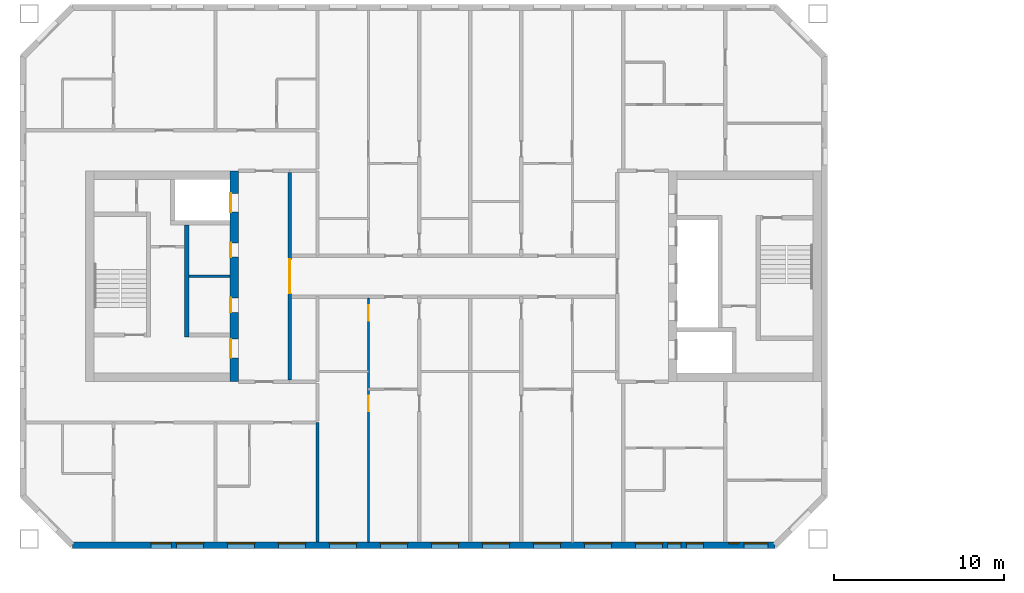
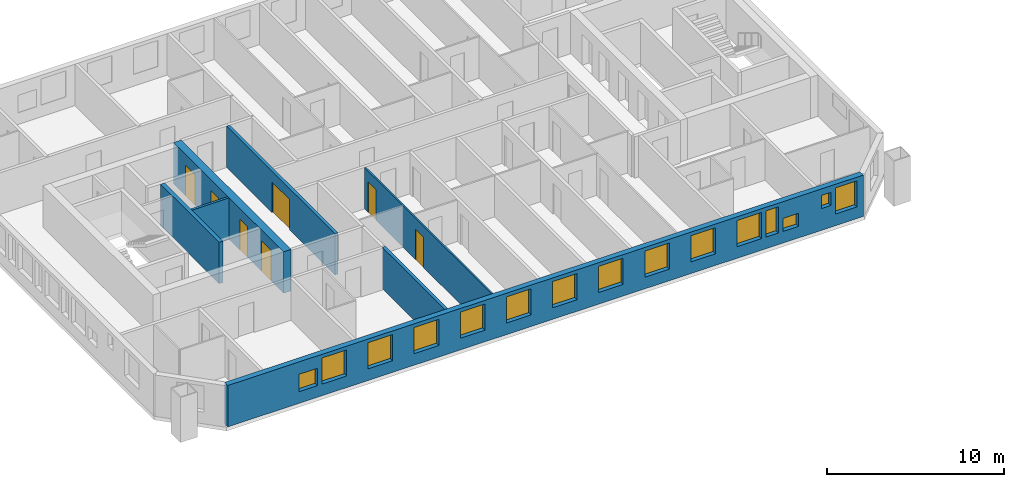
# One storey, part 3 of 16: 15 windows, 7 doors, 7 walls, 22 openings.
"""IFC4 building model written with IfcOpenShell, lengths in metres."""

from ifc_helpers import new_model, si_unit, direction, frame, frame_2d, origin, place, context, subcontext, project, spatial, rectangle, extrude, material, layer, layer_set, type_object, element, fill, save


model = new_model("IFC4")

# Units and contexts
model_context = context("Model", 3, precision=1e-05, world=origin(), true_north=direction((0.0, 1.0)))
body_context = subcontext(model_context, "Body", "Model", "MODEL_VIEW")
ifc_project = project(units=[si_unit("LENGTHUNIT", "METRE"), si_unit("AREAUNIT", "SQUARE_METRE"), si_unit("VOLUMEUNIT", "CUBIC_METRE"), si_unit("PLANEANGLEUNIT", "RADIAN"), si_unit("MASSUNIT", "GRAM", prefix="KILO")], contexts=[model_context])

# Site, building, storey
site_placement = place(None, origin())
site = spatial("IfcSite", under=ifc_project, at=site_placement, CompositionType="ELEMENT")
building_placement = place(site_placement, origin())
building = spatial("IfcBuilding", under=site, at=building_placement, Name="Tuart Gate Housing", CompositionType="ELEMENT")
storey_placement = place(building_placement, frame((0.0, 0.0, 151.60009765625)))
storey = spatial("IfcBuildingStorey", under=building, at=storey_placement, Name="L42", CompositionType="ELEMENT", Elevation=151.60009765625)

# Wall, openings, windows
ifc_material_1 = material(Name="Brick", Category="masonry")
ifc_layer_1 = layer(ifc_material_1, 0.360107421875)
ifc_layer_set_1 = layer_set([ifc_layer_1], Name="Brick pier and spandrel wall 360")
wall_type_1 = type_object("IfcWallType", Name="Brick pier and spandrel wall 360", PredefinedType="STANDARD", material=ifc_layer_set_1)
wall_1_placement = place(storey_placement, frame((31.57470703125, 54.179931640625, 0.0), z_axis=(0.0, 0.0, 1.0), x_axis=(1.0, 0.0, 0.0)))
wall_1 = element("IfcWall", 1, at=wall_1_placement, inside=storey, type_object=wall_type_1, Name="External wall A-S L42", PredefinedType="STANDARD", context=body_context, shape_type="SweptSolid", body=[
    extrude(rectangle(XDim=41.350830078125, YDim=0.360107421875, at=frame_2d((20.67529296875, 0.0))), origin(), (0.0, 0.0, 1.0), 2.849853515625),
])
opening_1_placement = place(wall_1_placement, frame((4.62548828125, 0.0, 0.800048828125)))
opening_1 = element("IfcOpeningElement", 2, at=opening_1_placement, cuts=wall_1, Name="Opening W1N", PredefinedType="OPENING", context=body_context, shape_type="SweptSolid", body=[
    extrude(rectangle(XDim=1.199951171875, YDim=1.199951171875, at=frame_2d((0.60009765625, 0.60009765625))), frame((0.0, 0.18994140625, 0.0), z_axis=(0.0, -1.0, 0.0), x_axis=(1.0, 0.0, 0.0)), (0.0, 0.0, 1.0), 0.380126953125),
])
opening_2_placement = place(wall_1_placement, frame((6.12548828125, 0.0, 0.800048828125)))
opening_2 = element("IfcOpeningElement", 3, at=opening_2_placement, cuts=wall_1, Name="Opening W1", PredefinedType="OPENING", context=body_context, shape_type="SweptSolid", body=[
    extrude(rectangle(XDim=1.60009765625, YDim=1.800048828125, at=frame_2d((0.800048828125, 0.89990234375))), frame((0.0, 0.18994140625, 0.0), z_axis=(0.0, -1.0, 0.0), x_axis=(1.0, 0.0, 0.0)), (0.0, 0.0, 1.0), 0.380126953125),
])
opening_3_placement = place(wall_1_placement, frame((9.12548828125, 0.0, 0.800048828125)))
opening_3 = element("IfcOpeningElement", 4, at=opening_3_placement, cuts=wall_1, Name="Opening W1", PredefinedType="OPENING", context=body_context, shape_type="SweptSolid", body=[
    extrude(rectangle(XDim=1.60009765625, YDim=1.800048828125, at=frame_2d((0.800048828125, 0.89990234375))), frame((0.0, 0.18994140625, 0.0), z_axis=(0.0, -1.0, 0.0), x_axis=(1.0, 0.0, 0.0)), (0.0, 0.0, 1.0), 0.380126953125),
])
opening_4_placement = place(wall_1_placement, frame((12.12548828125, 0.0, 0.800048828125)))
opening_4 = element("IfcOpeningElement", 5, at=opening_4_placement, cuts=wall_1, Name="Opening W1", PredefinedType="OPENING", context=body_context, shape_type="SweptSolid", body=[
    extrude(rectangle(XDim=1.60009765625, YDim=1.800048828125, at=frame_2d((0.800048828125, 0.89990234375))), frame((0.0, 0.18994140625, 0.0), z_axis=(0.0, -1.0, 0.0), x_axis=(1.0, 0.0, 0.0)), (0.0, 0.0, 1.0), 0.380126953125),
])
opening_5_placement = place(wall_1_placement, frame((15.12548828125, 0.0, 0.800048828125)))
opening_5 = element("IfcOpeningElement", 6, at=opening_5_placement, cuts=wall_1, Name="Opening W1", PredefinedType="OPENING", context=body_context, shape_type="SweptSolid", body=[
    extrude(rectangle(XDim=1.60009765625, YDim=1.800048828125, at=frame_2d((0.800048828125, 0.89990234375))), frame((0.0, 0.18994140625, 0.0), z_axis=(0.0, -1.0, 0.0), x_axis=(1.0, 0.0, 0.0)), (0.0, 0.0, 1.0), 0.380126953125),
])
opening_6_placement = place(wall_1_placement, frame((18.12548828125, 0.0, 0.800048828125)))
opening_6 = element("IfcOpeningElement", 7, at=opening_6_placement, cuts=wall_1, Name="Opening W1", PredefinedType="OPENING", context=body_context, shape_type="SweptSolid", body=[
    extrude(rectangle(XDim=1.60009765625, YDim=1.800048828125, at=frame_2d((0.800048828125, 0.89990234375))), frame((0.0, 0.18994140625, 0.0), z_axis=(0.0, -1.0, 0.0), x_axis=(1.0, 0.0, 0.0)), (0.0, 0.0, 1.0), 0.380126953125),
])
opening_7_placement = place(wall_1_placement, frame((21.12548828125, 0.0, 0.800048828125)))
opening_7 = element("IfcOpeningElement", 8, at=opening_7_placement, cuts=wall_1, Name="Opening W1", PredefinedType="OPENING", context=body_context, shape_type="SweptSolid", body=[
    extrude(rectangle(XDim=1.60009765625, YDim=1.800048828125, at=frame_2d((0.800048828125, 0.89990234375))), frame((0.0, 0.18994140625, 0.0), z_axis=(0.0, -1.0, 0.0), x_axis=(1.0, 0.0, 0.0)), (0.0, 0.0, 1.0), 0.380126953125),
])
opening_8_placement = place(wall_1_placement, frame((24.12548828125, 0.0, 0.800048828125)))
opening_8 = element("IfcOpeningElement", 9, at=opening_8_placement, cuts=wall_1, Name="Opening W1", PredefinedType="OPENING", context=body_context, shape_type="SweptSolid", body=[
    extrude(rectangle(XDim=1.60009765625, YDim=1.800048828125, at=frame_2d((0.800048828125, 0.89990234375))), frame((0.0, 0.18994140625, 0.0), z_axis=(0.0, -1.0, 0.0), x_axis=(1.0, 0.0, 0.0)), (0.0, 0.0, 1.0), 0.380126953125),
])
opening_9_placement = place(wall_1_placement, frame((27.12548828125, 0.0, 0.800048828125)))
opening_9 = element("IfcOpeningElement", 10, at=opening_9_placement, cuts=wall_1, Name="Opening W1", PredefinedType="OPENING", context=body_context, shape_type="SweptSolid", body=[
    extrude(rectangle(XDim=1.60009765625, YDim=1.800048828125, at=frame_2d((0.800048828125, 0.89990234375))), frame((0.0, 0.18994140625, 0.0), z_axis=(0.0, -1.0, 0.0), x_axis=(1.0, 0.0, 0.0)), (0.0, 0.0, 1.0), 0.380126953125),
])
opening_10_placement = place(wall_1_placement, frame((30.12548828125, 0.0, 0.800048828125)))
opening_10 = element("IfcOpeningElement", 11, at=opening_10_placement, cuts=wall_1, Name="Opening W1", PredefinedType="OPENING", context=body_context, shape_type="SweptSolid", body=[
    extrude(rectangle(XDim=1.60009765625, YDim=1.800048828125, at=frame_2d((0.800048828125, 0.89990234375))), frame((0.0, 0.18994140625, 0.0), z_axis=(0.0, -1.0, 0.0), x_axis=(1.0, 0.0, 0.0)), (0.0, 0.0, 1.0), 0.380126953125),
])
opening_11_placement = place(wall_1_placement, frame((33.12548828125, 0.0, 0.800048828125)))
opening_11 = element("IfcOpeningElement", 12, at=opening_11_placement, cuts=wall_1, Name="Opening W1", PredefinedType="OPENING", context=body_context, shape_type="SweptSolid", body=[
    extrude(rectangle(XDim=1.60009765625, YDim=1.800048828125, at=frame_2d((0.800048828125, 0.89990234375))), frame((0.0, 0.18994140625, 0.0), z_axis=(0.0, -1.0, 0.0), x_axis=(1.0, 0.0, 0.0)), (0.0, 0.0, 1.0), 0.380126953125),
])
opening_12_placement = place(wall_1_placement, frame((35.025390625, 0.0, 0.800048828125)))
opening_12 = element("IfcOpeningElement", 13, at=opening_12_placement, cuts=wall_1, Name="Opening W1D", PredefinedType="OPENING", context=body_context, shape_type="SweptSolid", body=[
    extrude(rectangle(XDim=0.800048828125, YDim=1.800048828125, at=frame_2d((0.39990234375, 0.89990234375))), frame((0.0, 0.18994140625, 0.0), z_axis=(0.0, -1.0, 0.0), x_axis=(1.0, 0.0, 0.0)), (0.0, 0.0, 1.0), 0.380126953125),
])
opening_13_placement = place(wall_1_placement, frame((38.62548828125, 0.0, 1.5)))
opening_13 = element("IfcOpeningElement", 14, at=opening_13_placement, cuts=wall_1, Name="Opening W1W", PredefinedType="OPENING", context=body_context, shape_type="SweptSolid", body=[
    extrude(rectangle(XDim=0.60009765625, YDim=0.89990234375, at=frame_2d((0.300048828125, 0.449951171875))), frame((0.0, 0.18994140625, 0.0), z_axis=(0.0, -1.0, 0.0), x_axis=(1.0, 0.0, 0.0)), (0.0, 0.0, 1.0), 0.380126953125),
])
opening_14_placement = place(wall_1_placement, frame((36.12548828125, 0.0, 0.800048828125)))
opening_14 = element("IfcOpeningElement", 15, at=opening_14_placement, cuts=wall_1, Name="Opening W1U", PredefinedType="OPENING", context=body_context, shape_type="SweptSolid", body=[
    extrude(rectangle(XDim=1.0, YDim=0.89990234375, at=frame_2d((0.5, 0.449951171875))), frame((0.0, 0.18994140625, 0.0), z_axis=(0.0, -1.0, 0.0), x_axis=(1.0, 0.0, 0.0)), (0.0, 0.0, 1.0), 0.380126953125),
])
opening_15_placement = place(wall_1_placement, frame((39.525390625, 0.0, 0.800048828125)))
opening_15 = element("IfcOpeningElement", 16, at=opening_15_placement, cuts=wall_1, Name="Opening W1A", PredefinedType="OPENING", context=body_context, shape_type="SweptSolid", body=[
    extrude(rectangle(XDim=1.39990234375, YDim=1.800048828125, at=frame_2d((0.699951171875, 0.89990234375))), frame((0.0, 0.18994140625, 0.0), z_axis=(0.0, -1.0, 0.0), x_axis=(1.0, 0.0, 0.0)), (0.0, 0.0, 1.0), 0.380126953125),
])
ifc_material_2 = material(Name="Aluminium frame with clear glass", Category="aluminium")
window_type_1 = type_object("IfcWindowType", Name="Punched window 1000 x 900", PartitioningType="SINGLE_PANEL", PredefinedType="WINDOW", material=ifc_material_2)
window_1_placement = place(opening_14_placement, origin())
window_1 = element("IfcWindow", 17, at=window_1_placement, inside=storey, type_object=window_type_1, Name="Window W1U", OverallHeight=0.89990234375, OverallWidth=1.0, PartitioningType="SINGLE_PANEL", PredefinedType="WINDOW", context=body_context, shape_type="SweptSolid", body=[
    extrude(rectangle(XDim=1.0, YDim=0.89990234375, at=frame_2d((0.5, 0.449951171875))), frame((0.0, 0.150146484375, 0.0), z_axis=(0.0, -1.0, 0.0), x_axis=(1.0, 0.0, 0.0)), (0.0, 0.0, 1.0), 0.06005859375),
])
fill(opening_14, window_1)
ifc_material_3 = material(Name="Aluminium frame with clear glass", Category="aluminium")
window_type_2 = type_object("IfcWindowType", Name="Punched window 1200 x 1200", PartitioningType="SINGLE_PANEL", PredefinedType="WINDOW", material=ifc_material_3)
window_2_placement = place(opening_1_placement, origin())
window_2 = element("IfcWindow", 18, at=window_2_placement, inside=storey, type_object=window_type_2, Name="Window W1N", OverallHeight=1.199951171875, OverallWidth=1.199951171875, PartitioningType="SINGLE_PANEL", PredefinedType="WINDOW", context=body_context, shape_type="SweptSolid", body=[
    extrude(rectangle(XDim=1.199951171875, YDim=1.199951171875, at=frame_2d((0.60009765625, 0.60009765625))), frame((0.0, 0.150146484375, 0.0), z_axis=(0.0, -1.0, 0.0), x_axis=(1.0, 0.0, 0.0)), (0.0, 0.0, 1.0), 0.06005859375),
])
fill(opening_1, window_2)
ifc_material_4 = material(Name="Aluminium frame with clear glass", Category="aluminium")
window_type_3 = type_object("IfcWindowType", Name="Punched window 1400 x 1800", PartitioningType="SINGLE_PANEL", PredefinedType="WINDOW", material=ifc_material_4)
window_3_placement = place(opening_15_placement, origin())
window_3 = element("IfcWindow", 19, at=window_3_placement, inside=storey, type_object=window_type_3, Name="Window W1A", OverallHeight=1.800048828125, OverallWidth=1.39990234375, PartitioningType="SINGLE_PANEL", PredefinedType="WINDOW", context=body_context, shape_type="SweptSolid", body=[
    extrude(rectangle(XDim=1.39990234375, YDim=1.800048828125, at=frame_2d((0.699951171875, 0.89990234375))), frame((0.0, 0.150146484375, 0.0), z_axis=(0.0, -1.0, 0.0), x_axis=(1.0, 0.0, 0.0)), (0.0, 0.0, 1.0), 0.06005859375),
])
fill(opening_15, window_3)
ifc_material_5 = material(Name="Aluminium frame with clear glass", Category="aluminium")
window_type_4 = type_object("IfcWindowType", Name="Punched window 1600 x 1800", PartitioningType="SINGLE_PANEL", PredefinedType="WINDOW", material=ifc_material_5)
window_4_placement = place(opening_2_placement, origin())
window_4 = element("IfcWindow", 20, at=window_4_placement, inside=storey, type_object=window_type_4, Name="Window W1", OverallHeight=1.800048828125, OverallWidth=1.60009765625, PartitioningType="SINGLE_PANEL", PredefinedType="WINDOW", context=body_context, shape_type="SweptSolid", body=[
    extrude(rectangle(XDim=1.60009765625, YDim=1.800048828125, at=frame_2d((0.800048828125, 0.89990234375))), frame((0.0, 0.150146484375, 0.0), z_axis=(0.0, -1.0, 0.0), x_axis=(1.0, 0.0, 0.0)), (0.0, 0.0, 1.0), 0.06005859375),
])
fill(opening_2, window_4)
window_5_placement = place(opening_3_placement, origin())
window_5 = element("IfcWindow", 21, at=window_5_placement, inside=storey, type_object=window_type_4, Name="Window W1", OverallHeight=1.800048828125, OverallWidth=1.60009765625, PartitioningType="SINGLE_PANEL", PredefinedType="WINDOW", context=body_context, shape_type="SweptSolid", body=[
    extrude(rectangle(XDim=1.60009765625, YDim=1.800048828125, at=frame_2d((0.800048828125, 0.89990234375))), frame((0.0, 0.150146484375, 0.0), z_axis=(0.0, -1.0, 0.0), x_axis=(1.0, 0.0, 0.0)), (0.0, 0.0, 1.0), 0.06005859375),
])
fill(opening_3, window_5)
window_6_placement = place(opening_4_placement, origin())
window_6 = element("IfcWindow", 22, at=window_6_placement, inside=storey, type_object=window_type_4, Name="Window W1", OverallHeight=1.800048828125, OverallWidth=1.60009765625, PartitioningType="SINGLE_PANEL", PredefinedType="WINDOW", context=body_context, shape_type="SweptSolid", body=[
    extrude(rectangle(XDim=1.60009765625, YDim=1.800048828125, at=frame_2d((0.800048828125, 0.89990234375))), frame((0.0, 0.150146484375, 0.0), z_axis=(0.0, -1.0, 0.0), x_axis=(1.0, 0.0, 0.0)), (0.0, 0.0, 1.0), 0.06005859375),
])
fill(opening_4, window_6)
window_7_placement = place(opening_5_placement, origin())
window_7 = element("IfcWindow", 23, at=window_7_placement, inside=storey, type_object=window_type_4, Name="Window W1", OverallHeight=1.800048828125, OverallWidth=1.60009765625, PartitioningType="SINGLE_PANEL", PredefinedType="WINDOW", context=body_context, shape_type="SweptSolid", body=[
    extrude(rectangle(XDim=1.60009765625, YDim=1.800048828125, at=frame_2d((0.800048828125, 0.89990234375))), frame((0.0, 0.150146484375, 0.0), z_axis=(0.0, -1.0, 0.0), x_axis=(1.0, 0.0, 0.0)), (0.0, 0.0, 1.0), 0.06005859375),
])
fill(opening_5, window_7)
window_8_placement = place(opening_6_placement, origin())
window_8 = element("IfcWindow", 24, at=window_8_placement, inside=storey, type_object=window_type_4, Name="Window W1", OverallHeight=1.800048828125, OverallWidth=1.60009765625, PartitioningType="SINGLE_PANEL", PredefinedType="WINDOW", context=body_context, shape_type="SweptSolid", body=[
    extrude(rectangle(XDim=1.60009765625, YDim=1.800048828125, at=frame_2d((0.800048828125, 0.89990234375))), frame((0.0, 0.150146484375, 0.0), z_axis=(0.0, -1.0, 0.0), x_axis=(1.0, 0.0, 0.0)), (0.0, 0.0, 1.0), 0.06005859375),
])
fill(opening_6, window_8)
window_9_placement = place(opening_7_placement, origin())
window_9 = element("IfcWindow", 25, at=window_9_placement, inside=storey, type_object=window_type_4, Name="Window W1", OverallHeight=1.800048828125, OverallWidth=1.60009765625, PartitioningType="SINGLE_PANEL", PredefinedType="WINDOW", context=body_context, shape_type="SweptSolid", body=[
    extrude(rectangle(XDim=1.60009765625, YDim=1.800048828125, at=frame_2d((0.800048828125, 0.89990234375))), frame((0.0, 0.150146484375, 0.0), z_axis=(0.0, -1.0, 0.0), x_axis=(1.0, 0.0, 0.0)), (0.0, 0.0, 1.0), 0.06005859375),
])
fill(opening_7, window_9)
window_10_placement = place(opening_8_placement, origin())
window_10 = element("IfcWindow", 26, at=window_10_placement, inside=storey, type_object=window_type_4, Name="Window W1", OverallHeight=1.800048828125, OverallWidth=1.60009765625, PartitioningType="SINGLE_PANEL", PredefinedType="WINDOW", context=body_context, shape_type="SweptSolid", body=[
    extrude(rectangle(XDim=1.60009765625, YDim=1.800048828125, at=frame_2d((0.800048828125, 0.89990234375))), frame((0.0, 0.150146484375, 0.0), z_axis=(0.0, -1.0, 0.0), x_axis=(1.0, 0.0, 0.0)), (0.0, 0.0, 1.0), 0.06005859375),
])
fill(opening_8, window_10)
window_11_placement = place(opening_9_placement, origin())
window_11 = element("IfcWindow", 27, at=window_11_placement, inside=storey, type_object=window_type_4, Name="Window W1", OverallHeight=1.800048828125, OverallWidth=1.60009765625, PartitioningType="SINGLE_PANEL", PredefinedType="WINDOW", context=body_context, shape_type="SweptSolid", body=[
    extrude(rectangle(XDim=1.60009765625, YDim=1.800048828125, at=frame_2d((0.800048828125, 0.89990234375))), frame((0.0, 0.150146484375, 0.0), z_axis=(0.0, -1.0, 0.0), x_axis=(1.0, 0.0, 0.0)), (0.0, 0.0, 1.0), 0.06005859375),
])
fill(opening_9, window_11)
window_12_placement = place(opening_10_placement, origin())
window_12 = element("IfcWindow", 28, at=window_12_placement, inside=storey, type_object=window_type_4, Name="Window W1", OverallHeight=1.800048828125, OverallWidth=1.60009765625, PartitioningType="SINGLE_PANEL", PredefinedType="WINDOW", context=body_context, shape_type="SweptSolid", body=[
    extrude(rectangle(XDim=1.60009765625, YDim=1.800048828125, at=frame_2d((0.800048828125, 0.89990234375))), frame((0.0, 0.150146484375, 0.0), z_axis=(0.0, -1.0, 0.0), x_axis=(1.0, 0.0, 0.0)), (0.0, 0.0, 1.0), 0.06005859375),
])
fill(opening_10, window_12)
window_13_placement = place(opening_11_placement, origin())
window_13 = element("IfcWindow", 29, at=window_13_placement, inside=storey, type_object=window_type_4, Name="Window W1", OverallHeight=1.800048828125, OverallWidth=1.60009765625, PartitioningType="SINGLE_PANEL", PredefinedType="WINDOW", context=body_context, shape_type="SweptSolid", body=[
    extrude(rectangle(XDim=1.60009765625, YDim=1.800048828125, at=frame_2d((0.800048828125, 0.89990234375))), frame((0.0, 0.150146484375, 0.0), z_axis=(0.0, -1.0, 0.0), x_axis=(1.0, 0.0, 0.0)), (0.0, 0.0, 1.0), 0.06005859375),
])
fill(opening_11, window_13)
ifc_material_6 = material(Name="Aluminium frame with clear glass", Category="aluminium")
window_type_5 = type_object("IfcWindowType", Name="Punched window 600 x 900", PartitioningType="SINGLE_PANEL", PredefinedType="WINDOW", material=ifc_material_6)
window_14_placement = place(opening_13_placement, origin())
window_14 = element("IfcWindow", 30, at=window_14_placement, inside=storey, type_object=window_type_5, Name="Window W1W", OverallHeight=0.89990234375, OverallWidth=0.60009765625, PartitioningType="SINGLE_PANEL", PredefinedType="WINDOW", context=body_context, shape_type="SweptSolid", body=[
    extrude(rectangle(XDim=0.60009765625, YDim=0.89990234375, at=frame_2d((0.300048828125, 0.449951171875))), frame((0.0, 0.150146484375, 0.0), z_axis=(0.0, -1.0, 0.0), x_axis=(1.0, 0.0, 0.0)), (0.0, 0.0, 1.0), 0.06005859375),
])
fill(opening_13, window_14)
ifc_material_7 = material(Name="Aluminium frame with clear glass", Category="aluminium")
window_type_6 = type_object("IfcWindowType", Name="Punched window 800 x 1800", PartitioningType="SINGLE_PANEL", PredefinedType="WINDOW", material=ifc_material_7)
window_15_placement = place(opening_12_placement, origin())
window_15 = element("IfcWindow", 31, at=window_15_placement, inside=storey, type_object=window_type_6, Name="Window W1D", OverallHeight=1.800048828125, OverallWidth=0.800048828125, PartitioningType="SINGLE_PANEL", PredefinedType="WINDOW", context=body_context, shape_type="SweptSolid", body=[
    extrude(rectangle(XDim=0.800048828125, YDim=1.800048828125, at=frame_2d((0.39990234375, 0.89990234375))), frame((0.0, 0.150146484375, 0.0), z_axis=(0.0, -1.0, 0.0), x_axis=(1.0, 0.0, 0.0)), (0.0, 0.0, 1.0), 0.06005859375),
])
fill(opening_12, window_15)

# Walls
ifc_material_8 = material(Name="Plasterboard partition")
ifc_layer_2 = layer(ifc_material_8, 0.14990234375)
ifc_layer_set_2 = layer_set([ifc_layer_2], Name="Core partition 150")
wall_type_2 = type_object("IfcWallType", Name="Core partition 150", PredefinedType="PARTITIONING", material=ifc_layer_set_2)
wall_2_placement = place(storey_placement, frame((40.860107421875, 70.0, 0.0), z_axis=(0.0, 0.0, 1.0), x_axis=(-1.0, 0.0, 0.0)))
element("IfcWall", 32, at=wall_2_placement, inside=storey, type_object=wall_type_2, Name="Core partition AK.4", PredefinedType="PARTITIONING", context=body_context, shape_type="SweptSolid", body=[
    extrude(rectangle(XDim=2.425048828125, YDim=0.14990234375, at=frame_2d((1.21240234375, 0.0))), origin(), (0.0, 0.0, 1.0), 2.849853515625),
])
ifc_material_9 = material(Name="Concrete C40", Category="concrete")
ifc_layer_3 = layer(ifc_material_9, 0.25)
ifc_layer_set_3 = layer_set([ifc_layer_3], Name="Core wall 250 C40")
wall_type_3 = type_object("IfcWallType", Name="Core wall 250 C40", PredefinedType="SHEAR", material=ifc_layer_set_3)
wall_3_placement = place(storey_placement, frame((38.31005859375, 73.02490234375, 0.0), z_axis=(0.0, 0.0, 1.0), x_axis=(0.0, -1.0, 0.0)))
element("IfcWall", 33, at=wall_3_placement, inside=storey, type_object=wall_type_3, Name="Core wall AK.7", PredefinedType="SHEAR", context=body_context, shape_type="SweptSolid", body=[
    extrude(rectangle(XDim=6.599853515625, YDim=0.25, at=frame_2d((3.2998046875, 0.0))), origin(), (0.0, 0.0, 1.0), 2.849853515625),
])

# Wall, openings, doors
ifc_material_10 = material(Name="Concrete C40", Category="concrete")
ifc_layer_4 = layer(ifc_material_10, 0.5)
ifc_layer_set_4 = layer_set([ifc_layer_4], Name="Core wall 500 C40")
wall_type_4 = type_object("IfcWallType", Name="Core wall 500 C40", PredefinedType="SHEAR", material=ifc_layer_set_4)
wall_4_placement = place(storey_placement, frame((41.110107421875, 76.199951171875, 0.0), z_axis=(0.0, 0.0, 1.0), x_axis=(0.0, -1.0, 0.0)))
wall_4 = element("IfcWall", 34, at=wall_4_placement, inside=storey, type_object=wall_type_4, Name="Core wall AK front", PredefinedType="SHEAR", context=body_context, shape_type="SweptSolid", body=[
    extrude(rectangle(XDim=12.39990234375, YDim=0.5, at=frame_2d((6.199951171875, 0.0))), origin(), (0.0, 0.0, 1.0), 2.849853515625),
])
opening_16_placement = place(wall_4_placement, frame((1.324951171875, 0.0, 0.0)))
opening_16 = element("IfcOpeningElement", 35, at=opening_16_placement, cuts=wall_4, Name="Opening LD-FA2", PredefinedType="OPENING", context=body_context, shape_type="SweptSolid", body=[
    extrude(rectangle(XDim=1.10009765625, YDim=2.10009765625, at=frame_2d((0.550048828125, 1.050048828125))), frame((0.0, 0.260009765625, 0.0), z_axis=(0.0, -1.0, 0.0), x_axis=(1.0, 0.0, 0.0)), (0.0, 0.0, 1.0), 0.52001953125),
])
opening_17_placement = place(wall_4_placement, frame((4.22509765625, 0.0, 0.0)))
opening_17 = element("IfcOpeningElement", 36, at=opening_17_placement, cuts=wall_4, Name="Opening D1543", PredefinedType="OPENING", context=body_context, shape_type="SweptSolid", body=[
    extrude(rectangle(XDim=0.85009765625, YDim=2.10009765625, at=frame_2d((0.425048828125, 1.050048828125))), frame((0.0, 0.260009765625, 0.0), z_axis=(0.0, -1.0, 0.0), x_axis=(1.0, 0.0, 0.0)), (0.0, 0.0, 1.0), 0.52001953125),
])
opening_18_placement = place(wall_4_placement, frame((7.47509765625, 0.0, 0.0)))
opening_18 = element("IfcOpeningElement", 37, at=opening_18_placement, cuts=wall_4, Name="Opening D1544", PredefinedType="OPENING", context=body_context, shape_type="SweptSolid", body=[
    extrude(rectangle(XDim=0.85009765625, YDim=2.10009765625, at=frame_2d((0.425048828125, 1.050048828125))), frame((0.0, 0.260009765625, 0.0), z_axis=(0.0, -1.0, 0.0), x_axis=(1.0, 0.0, 0.0)), (0.0, 0.0, 1.0), 0.52001953125),
])
opening_19_placement = place(wall_4_placement, frame((9.89990234375, 0.0, 0.0)))
opening_19 = element("IfcOpeningElement", 38, at=opening_19_placement, cuts=wall_4, Name="Opening D1542", PredefinedType="OPENING", context=body_context, shape_type="SweptSolid", body=[
    extrude(rectangle(XDim=1.10009765625, YDim=2.10009765625, at=frame_2d((0.550048828125, 1.050048828125))), frame((0.0, 0.260009765625, 0.0), z_axis=(0.0, -1.0, 0.0), x_axis=(1.0, 0.0, 0.0)), (0.0, 0.0, 1.0), 0.52001953125),
])
ifc_material_11 = material(Name="Stainless steel", Category="steel")
door_type_1 = type_object("IfcDoorType", Name="Landing door 1100 x 2100", OperationType="DOUBLE_DOOR_SLIDING", PredefinedType="DOOR", material=ifc_material_11)
door_1_placement = place(opening_16_placement, origin())
door_1 = element("IfcDoor", 39, at=door_1_placement, inside=storey, type_object=door_type_1, Name="Lift landing door FA2", OperationType="DOUBLE_DOOR_SLIDING", OverallHeight=2.10009765625, OverallWidth=1.10009765625, PredefinedType="DOOR", context=body_context, shape_type="SweptSolid", body=[
    extrude(rectangle(XDim=1.10009765625, YDim=2.10009765625, at=frame_2d((0.550048828125, 1.050048828125))), frame((0.0, -0.18505859375, 0.0), z_axis=(0.0, -1.0, 0.0), x_axis=(1.0, 0.0, 0.0)), (0.0, 0.0, 1.0), 0.050048828125),
])
fill(opening_16, door_1)
ifc_material_12 = material(Name="Steel fire door", Category="steel")
door_type_2 = type_object("IfcDoorType", Name="Lobby door 1100 x 2100 RH", OperationType="SINGLE_SWING_RIGHT", PredefinedType="DOOR", material=ifc_material_12)
door_2_placement = place(opening_19_placement, frame((1.10009765625, 0.0, 0.0), z_axis=(0.0, 0.0, 1.0), x_axis=(-1.0, 0.0, 0.0)))
door_2 = element("IfcDoor", 40, at=door_2_placement, inside=storey, type_object=door_type_2, Name="Lobby entry door AK.EN", OperationType="SINGLE_SWING_RIGHT", OverallHeight=2.10009765625, OverallWidth=1.10009765625, PredefinedType="DOOR", context=body_context, shape_type="SweptSolid", body=[
    extrude(rectangle(XDim=1.10009765625, YDim=2.10009765625, at=frame_2d((0.550048828125, 1.050048828125))), frame((0.0, 0.235107421875, 0.0), z_axis=(0.0, -1.0, 0.0), x_axis=(1.0, 0.0, 0.0)), (0.0, 0.0, 1.0), 0.050048828125),
])
fill(opening_19, door_2)
ifc_material_13 = material(Name="Steel fire door", Category="steel")
door_type_3 = type_object("IfcDoorType", Name="Service door 850 x 2100 RH", OperationType="SINGLE_SWING_RIGHT", PredefinedType="DOOR", material=ifc_material_13)
door_3_placement = place(opening_17_placement, frame((0.85009765625, 0.0, 0.0), z_axis=(0.0, 0.0, 1.0), x_axis=(-1.0, 0.0, 0.0)))
door_3 = element("IfcDoor", 41, at=door_3_placement, inside=storey, type_object=door_type_3, Name="Service room door AK.FR1", OperationType="SINGLE_SWING_RIGHT", OverallHeight=2.10009765625, OverallWidth=0.85009765625, PredefinedType="DOOR", context=body_context, shape_type="SweptSolid", body=[
    extrude(rectangle(XDim=0.85009765625, YDim=2.10009765625, at=frame_2d((0.425048828125, 1.050048828125))), frame((0.0, 0.235107421875, 0.0), z_axis=(0.0, -1.0, 0.0), x_axis=(1.0, 0.0, 0.0)), (0.0, 0.0, 1.0), 0.050048828125),
])
fill(opening_17, door_3)
door_4_placement = place(opening_18_placement, frame((0.85009765625, 0.0, 0.0), z_axis=(0.0, 0.0, 1.0), x_axis=(-1.0, 0.0, 0.0)))
door_4 = element("IfcDoor", 42, at=door_4_placement, inside=storey, type_object=door_type_3, Name="Service room door AK.FR2", OperationType="SINGLE_SWING_RIGHT", OverallHeight=2.10009765625, OverallWidth=0.85009765625, PredefinedType="DOOR", context=body_context, shape_type="SweptSolid", body=[
    extrude(rectangle(XDim=0.85009765625, YDim=2.10009765625, at=frame_2d((0.425048828125, 1.050048828125))), frame((0.0, 0.235107421875, 0.0), z_axis=(0.0, -1.0, 0.0), x_axis=(1.0, 0.0, 0.0)), (0.0, 0.0, 1.0), 0.050048828125),
])
fill(opening_18, door_4)

# Wall, opening, door
ifc_material_14 = material(Name="Plasterboard partition")
ifc_layer_5 = layer(ifc_material_14, 0.199951171875)
ifc_layer_set_5 = layer_set([ifc_layer_5], Name="Lobby wall 200")
wall_type_5 = type_object("IfcWallType", Name="Lobby wall 200", PredefinedType="PARTITIONING", material=ifc_layer_set_5)
wall_5_placement = place(storey_placement, frame((44.360107421875, 63.89990234375, 0.0), z_axis=(0.0, 0.0, 1.0), x_axis=(0.0, 1.0, 0.0)))
wall_5 = element("IfcWall", 43, at=wall_5_placement, inside=storey, type_object=wall_type_5, Name="Lift lobby wall AK", PredefinedType="PARTITIONING", context=body_context, shape_type="SweptSolid", body=[
    extrude(rectangle(XDim=12.2001953125, YDim=0.199951171875, at=frame_2d((6.10009765625, 0.0))), origin(), (0.0, 0.0, 1.0), 2.849853515625),
])
opening_20_placement = place(wall_5_placement, frame((5.10009765625, 0.0, 0.0)))
opening_20 = element("IfcOpeningElement", 44, at=opening_20_placement, cuts=wall_5, Name="Opening D1545", PredefinedType="OPENING", context=body_context, shape_type="SweptSolid", body=[
    extrude(rectangle(XDim=2.0, YDim=2.10009765625, at=frame_2d((1.0, 1.050048828125))), frame((0.0, 0.10986328125, 0.0), z_axis=(0.0, -1.0, 0.0), x_axis=(1.0, 0.0, 0.0)), (0.0, 0.0, 1.0), 0.219970703125),
])
ifc_material_15 = material(Name="Steel fire door", Category="steel")
door_type_4 = type_object("IfcDoorType", Name="Smoke door 2000 x 2100", OperationType="DOUBLE_DOOR_SINGLE_SWING", PredefinedType="DOOR", material=ifc_material_15)
door_5_placement = place(opening_20_placement, origin())
door_5 = element("IfcDoor", 45, at=door_5_placement, inside=storey, type_object=door_type_4, Name="Lift lobby smoke door AK", OperationType="DOUBLE_DOOR_SINGLE_SWING", OverallHeight=2.10009765625, OverallWidth=2.0, PredefinedType="DOOR", context=body_context, shape_type="SweptSolid", body=[
    extrude(rectangle(XDim=2.0, YDim=2.10009765625, at=frame_2d((1.0, 1.050048828125))), frame((0.0, 0.02490234375, 0.0), z_axis=(0.0, -1.0, 0.0), x_axis=(1.0, 0.0, 0.0)), (0.0, 0.0, 1.0), 0.050048828125),
])
fill(opening_20, door_5)

# Wall, openings, doors
ifc_material_16 = material(Name="Gypsum board on steel studs", Category="steel")
ifc_layer_6 = layer(ifc_material_16, 0.10009765625)
ifc_layer_set_6 = layer_set([ifc_layer_6], Name="Partition 100")
wall_type_6 = type_object("IfcWallType", Name="Partition 100", PredefinedType="PARTITIONING", material=ifc_layer_set_6)
wall_6_placement = place(storey_placement, frame((49.0, 54.360107421875, 0.0), z_axis=(0.0, 0.0, 1.0), x_axis=(0.0, 1.0, 0.0)))
wall_6 = element("IfcWall", 46, at=wall_6_placement, inside=storey, type_object=wall_type_6, Name="Partition 100", PredefinedType="PARTITIONING", context=body_context, shape_type="SweptSolid", body=[
    extrude(rectangle(XDim=14.33984375, YDim=0.10009765625, at=frame_2d((7.169921875, 0.0))), origin(), (0.0, 0.0, 1.0), 2.849853515625),
])
opening_21_placement = place(wall_6_placement, frame((7.699951171875, 0.0, 0.0)))
opening_21 = element("IfcOpeningElement", 47, at=opening_21_placement, cuts=wall_6, Name="Opening D1561", PredefinedType="OPENING", context=body_context, shape_type="SweptSolid", body=[
    extrude(rectangle(XDim=0.89990234375, YDim=2.10009765625, at=frame_2d((0.449951171875, 1.050048828125))), frame((0.0, 0.06005859375, 0.0), z_axis=(0.0, -1.0, 0.0), x_axis=(1.0, 0.0, 0.0)), (0.0, 0.0, 1.0), 0.1201171875),
])
opening_22_placement = place(wall_6_placement, frame((13.0400390625, 0.0, 0.0)))
opening_22 = element("IfcOpeningElement", 48, at=opening_22_placement, cuts=wall_6, Name="Opening D1560", PredefinedType="OPENING", context=body_context, shape_type="SweptSolid", body=[
    extrude(rectangle(XDim=0.89990234375, YDim=2.10009765625, at=frame_2d((0.449951171875, 1.050048828125))), frame((0.0, 0.06005859375, 0.0), z_axis=(0.0, -1.0, 0.0), x_axis=(1.0, 0.0, 0.0)), (0.0, 0.0, 1.0), 0.1201171875),
])
ifc_material_17 = material(Name="Timber door leaf in steel frame", Category="steel")
door_type_5 = type_object("IfcDoorType", Name="Bathroom door 900 RH", OperationType="SINGLE_SWING_RIGHT", PredefinedType="DOOR", material=ifc_material_17)
door_6_placement = place(opening_22_placement, origin())
door_6 = element("IfcDoor", 49, at=door_6_placement, inside=storey, type_object=door_type_5, Name="Bathroom door", OperationType="SINGLE_SWING_RIGHT", OverallHeight=2.10009765625, OverallWidth=0.89990234375, PredefinedType="DOOR", context=body_context, shape_type="SweptSolid", body=[
    extrude(rectangle(XDim=0.89990234375, YDim=2.10009765625, at=frame_2d((0.449951171875, 1.050048828125))), frame((0.0, 0.02490234375, 0.0), z_axis=(0.0, -1.0, 0.0), x_axis=(1.0, 0.0, 0.0)), (0.0, 0.0, 1.0), 0.050048828125),
])
fill(opening_22, door_6)
ifc_material_18 = material(Name="Timber door leaf in steel frame", Category="steel")
door_type_6 = type_object("IfcDoorType", Name="Internal door 900 RH", OperationType="SINGLE_SWING_RIGHT", PredefinedType="DOOR", material=ifc_material_18)
door_7_placement = place(opening_21_placement, origin())
door_7 = element("IfcDoor", 50, at=door_7_placement, inside=storey, type_object=door_type_6, Name="Internal door", OperationType="SINGLE_SWING_RIGHT", OverallHeight=2.10009765625, OverallWidth=0.89990234375, PredefinedType="DOOR", context=body_context, shape_type="SweptSolid", body=[
    extrude(rectangle(XDim=0.89990234375, YDim=2.10009765625, at=frame_2d((0.449951171875, 1.050048828125))), frame((0.0, 0.02490234375, 0.0), z_axis=(0.0, -1.0, 0.0), x_axis=(1.0, 0.0, 0.0)), (0.0, 0.0, 1.0), 0.050048828125),
])
fill(opening_21, door_7)

# Wall
ifc_material_19 = material(Name="Concrete C40", Category="concrete")
ifc_layer_7 = layer(ifc_material_19, 0.199951171875)
ifc_layer_set_7 = layer_set([ifc_layer_7], Name="Party wall concrete C40 200")
wall_type_7 = type_object("IfcWallType", Name="Party wall concrete C40 200", PredefinedType="SOLIDWALL", material=ifc_layer_set_7)
wall_7_placement = place(storey_placement, frame((46.0, 54.360107421875, 0.0), z_axis=(0.0, 0.0, 1.0), x_axis=(0.0, 1.0, 0.0)))
element("IfcWall", 51, at=wall_7_placement, inside=storey, type_object=wall_type_7, Name="Party wall concrete C40 200", PredefinedType="SOLIDWALL", context=body_context, shape_type="SweptSolid", body=[
    extrude(rectangle(XDim=7.039794921875, YDim=0.199951171875, at=frame_2d((3.52001953125, 0.0))), origin(), (0.0, 0.0, 1.0), 2.849853515625),
])

save(model, "model.ifc")
